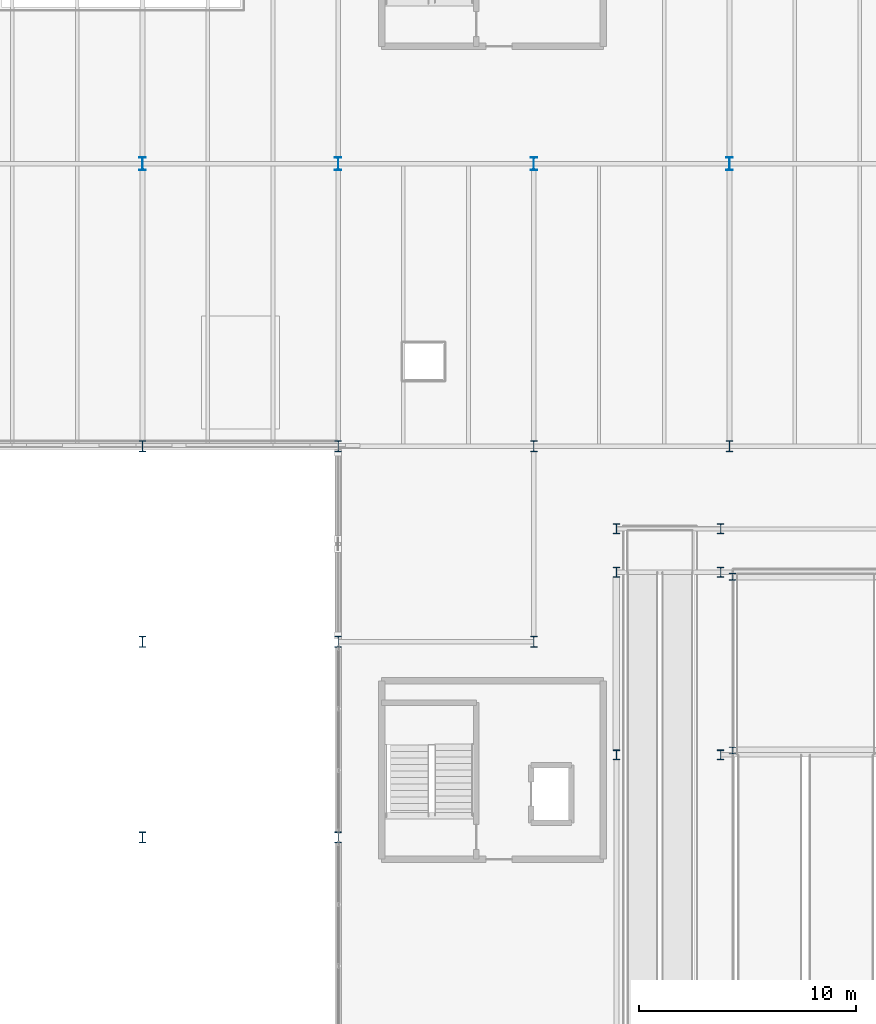
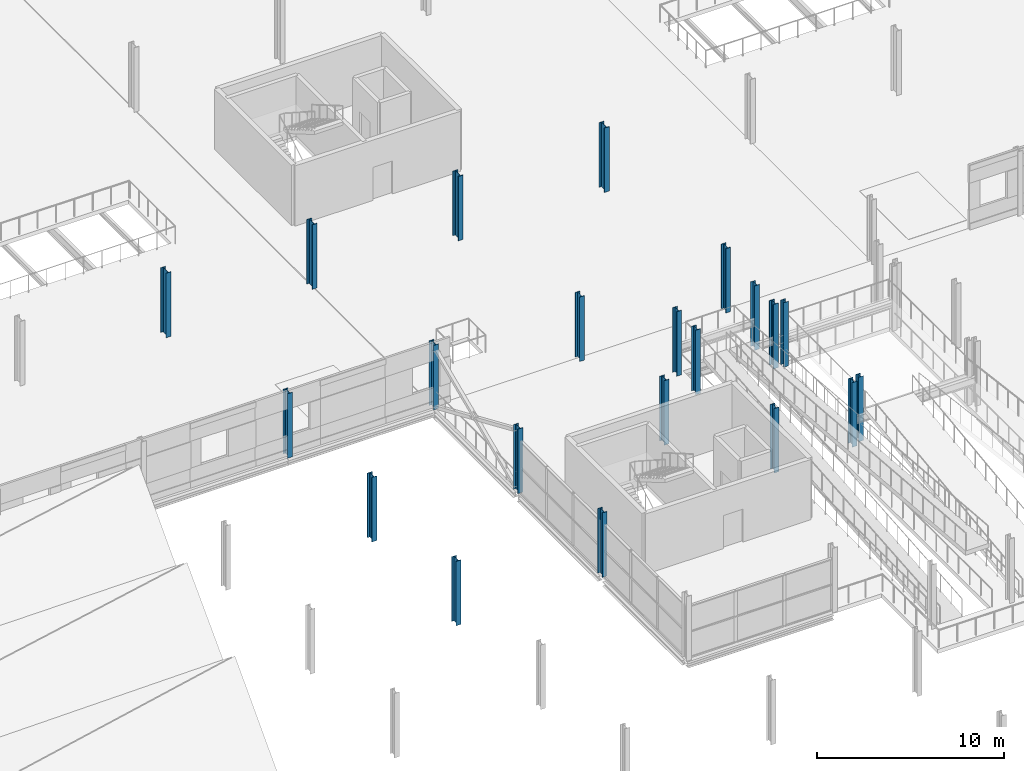
# One storey, part 6 of 103: 21 columns.
"""IFC4 building model written with IfcOpenShell, lengths in metres."""

from ifc_helpers import new_model, si_unit, direction, frame, origin, origin_2d, place, context, subcontext, project, spatial, i_section, extrude, material, material_profile, profile_set, type_object, element, save


model = new_model("IFC4")

# Units and contexts
model_context = context("Model", 3, precision=1e-05, world=origin(), true_north=direction((0.0, 1.0)))
body_context = subcontext(model_context, "Body", "Model", "MODEL_VIEW")
ifc_project = project(units=[si_unit("LENGTHUNIT", "METRE"), si_unit("AREAUNIT", "SQUARE_METRE"), si_unit("VOLUMEUNIT", "CUBIC_METRE"), si_unit("PLANEANGLEUNIT", "RADIAN"), si_unit("MASSUNIT", "GRAM", prefix="KILO")], contexts=[model_context])

# Site, building, storey
site_placement = place(None, origin())
site = spatial("IfcSite", under=ifc_project, at=site_placement, CompositionType="ELEMENT")
building_placement = place(site_placement, origin())
building = spatial("IfcBuilding", under=site, at=building_placement, Name="Deido Ridge Mobility Hub", CompositionType="ELEMENT")
storey_placement = place(building_placement, frame((0.0, 0.0, 12.60009765625)))
storey = spatial("IfcBuildingStorey", under=building, at=storey_placement, Name="L03", CompositionType="ELEMENT", Elevation=12.60009765625)

# Columns
ifc_material = material(Name="Steel S355J2 EN 10025-2", Category="steel")
ifc_material_profile_1 = material_profile(ifc_material, i_section(OverallWidth=0.300048828125, OverallDepth=0.320068359375, WebThickness=0.011474609375, FlangeThickness=0.0205078125, FilletRadius=0.027099609375, at=origin_2d()), Name="HEB 320")
ifc_profile_set_1 = profile_set([ifc_material_profile_1], Name="Steel S355J2 EN 10025-2")
column_type_1 = type_object("IfcColumnType", Name="COL-HEB320", PredefinedType="COLUMN", material=ifc_profile_set_1)
for number, where, z_axis, x_axis, name in (
    (1, (90.14990234375, 67.0, 0.0), (0.0, 0.0, 1.0), (1.0, 0.0, 0.0), "Structural column C9"),
    (2, (90.14990234375, 75.0, 0.0), (0.0, 0.0, 1.0), (1.0, 0.0, 0.0), "Structural column C9"),
):
    element("IfcColumn", number, at=place(storey_placement, frame(where, z_axis=z_axis, x_axis=x_axis)), inside=storey, type_object=column_type_1, Name=name, PredefinedType="COLUMN", context=body_context, shape_type="SweptSolid", body=[
        extrude(i_section(OverallWidth=0.300048828125, OverallDepth=0.320068359375, WebThickness=0.011474609375, FlangeThickness=0.0205078125, FilletRadius=0.027099609375, at=origin_2d()), origin(), (0.0, 0.0, 1.0), 4.199951171875),
    ])
ifc_material_profile_2 = material_profile(ifc_material, i_section(OverallWidth=0.300048828125, OverallDepth=0.449951171875, WebThickness=0.013916015625, FlangeThickness=0.02587890625, FilletRadius=0.027099609375, at=origin_2d()), Name="HEB 450")
ifc_profile_set_2 = profile_set([ifc_material_profile_2], Name="Steel S355J2 EN 10025-2")
column_type_2 = type_object("IfcColumnType", Name="COL-HEB450", PredefinedType="COLUMN", material=ifc_profile_set_2)
for number, where, z_axis, x_axis, name in (
    (3, (84.800048828125, 66.800048828125, 0.0), (0.0, 0.0, 1.0), (1.0, 0.0, 0.0), "Structural column C6"),
    (4, (84.800048828125, 75.199951171875, 0.0), (0.0, 0.0, 1.0), (1.0, 0.0, 0.0), "Structural column C6"),
    (5, (84.800048828125, 77.199951171875, 0.0), (0.0, 0.0, 1.0), (1.0, 0.0, 0.0), "Structural column C6"),
    (6, (89.60009765625, 66.800048828125, 0.0), (0.0, 0.0, 1.0), (1.0, 0.0, 0.0), "Structural column C6"),
    (7, (89.60009765625, 75.199951171875, 0.0), (0.0, 0.0, 1.0), (1.0, 0.0, 0.0), "Structural column C6"),
    (8, (89.60009765625, 77.199951171875, 0.0), (0.0, 0.0, 1.0), (1.0, 0.0, 0.0), "Structural column C6"),
):
    element("IfcColumn", number, at=place(storey_placement, frame(where, z_axis=z_axis, x_axis=x_axis)), inside=storey, type_object=column_type_2, Name=name, PredefinedType="COLUMN", context=body_context, shape_type="SweptSolid", body=[
        extrude(i_section(OverallWidth=0.300048828125, OverallDepth=0.449951171875, WebThickness=0.013916015625, FlangeThickness=0.02587890625, FilletRadius=0.027099609375, at=origin_2d()), origin(), (0.0, 0.0, 1.0), 4.199951171875),
    ])
ifc_material_profile_3 = material_profile(ifc_material, i_section(OverallWidth=0.300048828125, OverallDepth=0.5, WebThickness=0.014404296875, FlangeThickness=0.028076171875, FilletRadius=0.027099609375, at=origin_2d()), Name="HEB 500")
ifc_profile_set_3 = profile_set([ifc_material_profile_3], Name="Steel S355J2 EN 10025-2")
column_type_3 = type_object("IfcColumnType", Name="COL-HEB500", PredefinedType="COLUMN", material=ifc_profile_set_3)
for number, where, z_axis, x_axis, name in (
    (9, (72.0, 63.0, 0.0), (0.0, 0.0, 1.0), (1.0, 0.0, 0.0), "Structural column C5"),
    (10, (72.0, 72.0, 0.0), (0.0, 0.0, 1.0), (1.0, 0.0, 0.0), "Structural column C5"),
    (11, (72.0, 81.0, 0.0), (0.0, 0.0, 1.0), (1.0, 0.0, 0.0), "Structural column C5"),
    (12, (81.0, 72.0, 0.0), (0.0, 0.0, 1.0), (1.0, 0.0, 0.0), "Structural column C5"),
    (13, (81.0, 81.0, 0.0), (0.0, 0.0, 1.0), (1.0, 0.0, 0.0), "Structural column C5"),
    (14, (63.0, 63.0, 0.0), (0.0, 0.0, 1.0), (1.0, 0.0, 0.0), "Structural column C5"),
    (15, (63.0, 72.0, 0.0), (0.0, 0.0, 1.0), (1.0, 0.0, 0.0), "Structural column C5"),
    (16, (63.0, 81.0, 0.0), (0.0, 0.0, 1.0), (1.0, 0.0, 0.0), "Structural column C5"),
    (17, (90.0, 81.0, 0.0), (0.0, 0.0, 1.0), (1.0, 0.0, 0.0), "Structural column C5"),
):
    element("IfcColumn", number, at=place(storey_placement, frame(where, z_axis=z_axis, x_axis=x_axis)), inside=storey, type_object=column_type_3, Name=name, PredefinedType="COLUMN", context=body_context, shape_type="SweptSolid", body=[
        extrude(i_section(OverallWidth=0.300048828125, OverallDepth=0.5, WebThickness=0.014404296875, FlangeThickness=0.028076171875, FilletRadius=0.027099609375, at=origin_2d()), origin(), (0.0, 0.0, 1.0), 4.199951171875),
    ])
ifc_material_profile_4 = material_profile(ifc_material, i_section(OverallWidth=0.300048828125, OverallDepth=0.60009765625, WebThickness=0.015380859375, FlangeThickness=0.030029296875, FilletRadius=0.027099609375, at=origin_2d()), Name="HEB 600")
ifc_profile_set_4 = profile_set([ifc_material_profile_4], Name="Steel S355J2 EN 10025-2")
column_type_4 = type_object("IfcColumnType", Name="COL-HEB600", PredefinedType="COLUMN", material=ifc_profile_set_4)
for number, where, z_axis, x_axis, name in (
    (18, (63.0, 94.0, 0.0), (0.0, 0.0, 1.0), (1.0, 0.0, 0.0), "Structural column C4"),
    (19, (72.0, 94.0, 0.0), (0.0, 0.0, 1.0), (1.0, 0.0, 0.0), "Structural column C4"),
    (20, (81.0, 94.0, 0.0), (0.0, 0.0, 1.0), (1.0, 0.0, 0.0), "Structural column C4"),
    (21, (90.0, 94.0, 0.0), (0.0, 0.0, 1.0), (1.0, 0.0, 0.0), "Structural column C4"),
):
    element("IfcColumn", number, at=place(storey_placement, frame(where, z_axis=z_axis, x_axis=x_axis)), inside=storey, type_object=column_type_4, Name=name, PredefinedType="COLUMN", context=body_context, shape_type="SweptSolid", body=[
        extrude(i_section(OverallWidth=0.300048828125, OverallDepth=0.60009765625, WebThickness=0.015380859375, FlangeThickness=0.030029296875, FilletRadius=0.027099609375, at=origin_2d()), origin(), (0.0, 0.0, 1.0), 4.199951171875),
    ])

save(model, "model.ifc")
